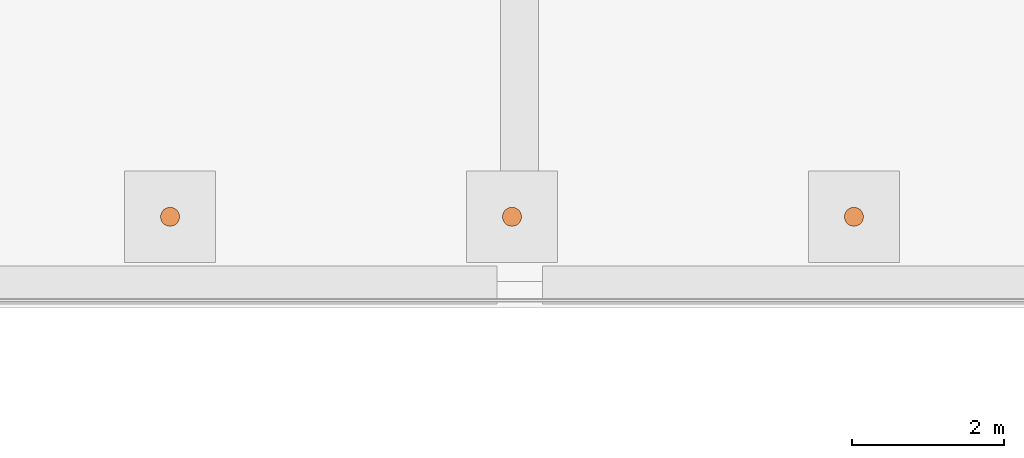
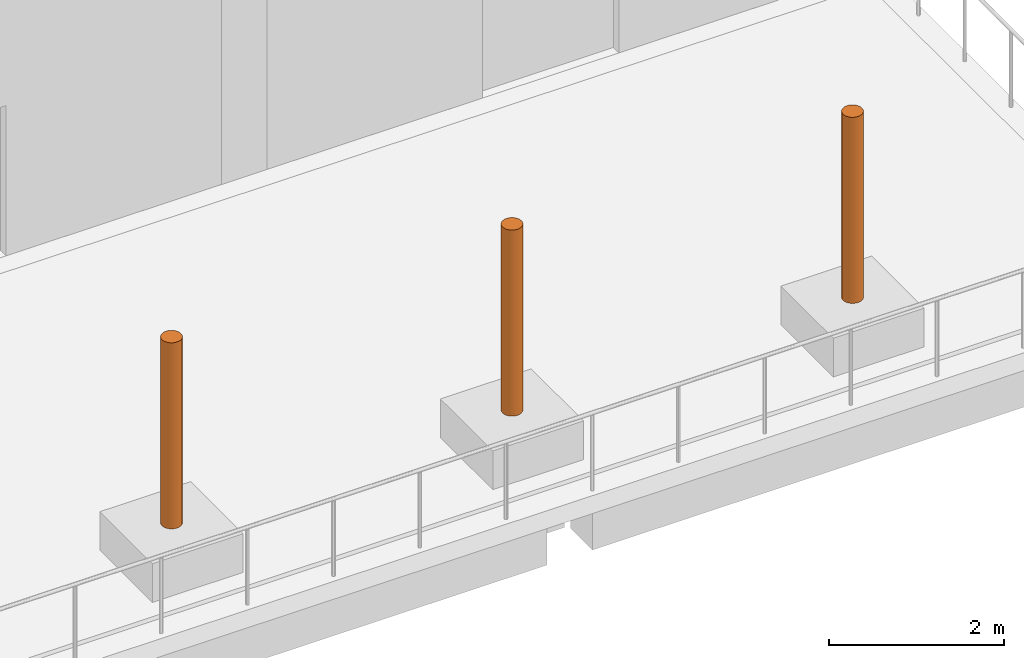
# One storey, part 38 of 38: 3 geographic elements.
"""IFC4 building model written with IfcOpenShell, lengths in metres."""

from ifc_helpers import new_model, si_unit, direction, frame, origin, origin_2d, place, context, subcontext, project, spatial, circle, extrude, element, save


model = new_model("IFC4")

# Units and contexts
model_context = context("Model", 3, precision=1e-05, world=origin(), true_north=direction((0.0, 1.0)))
body_context = subcontext(model_context, "Body", "Model", "MODEL_VIEW")
ifc_project = project(units=[si_unit("LENGTHUNIT", "METRE"), si_unit("AREAUNIT", "SQUARE_METRE"), si_unit("VOLUMEUNIT", "CUBIC_METRE"), si_unit("PLANEANGLEUNIT", "RADIAN"), si_unit("MASSUNIT", "GRAM", prefix="KILO")], contexts=[model_context])

# Site, building, storey
site_placement = place(None, origin())
site = spatial("IfcSite", under=ifc_project, at=site_placement, CompositionType="ELEMENT")
building_placement = place(site_placement, origin())
building = spatial("IfcBuilding", under=site, at=building_placement, Name="Frailejon Research Tower", CompositionType="ELEMENT")
storey_placement = place(building_placement, frame((0.0, 0.0, 10.199951171875)))
storey = spatial("IfcBuildingStorey", under=building, at=storey_placement, Name="L02", CompositionType="ELEMENT", Elevation=10.199951171875)

# Geographic elements
for number, where, z_axis, x_axis, name in (
    (1, (88.5, -19.35009765625, 3.199951171875), (0.0, 0.0, -1.0), (1.0, 0.0, 0.0), "HC terrace tree"),
    (2, (93.0, -19.35009765625, 3.199951171875), (0.0, 0.0, -1.0), (1.0, 0.0, 0.0), "HC terrace tree"),
    (3, (97.5, -19.35009765625, 3.199951171875), (0.0, 0.0, -1.0), (1.0, 0.0, 0.0), "HC terrace tree"),
):
    element("IfcGeographicElement", number, at=place(storey_placement, frame(where, z_axis=z_axis, x_axis=x_axis)), inside=storey, Name=name, ObjectType="TREE", PredefinedType="USERDEFINED", context=body_context, shape_type="SweptSolid", body=[
        extrude(circle(Radius=0.125, at=origin_2d()), origin(), (0.0, 0.0, 1.0), 2.60009765625),
    ])

save(model, "model.ifc")
